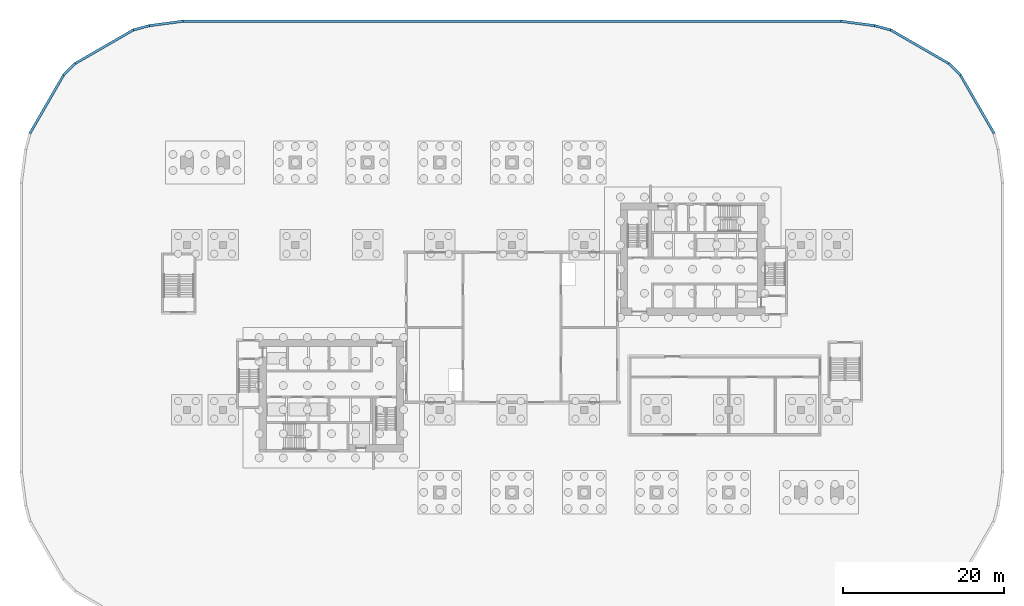
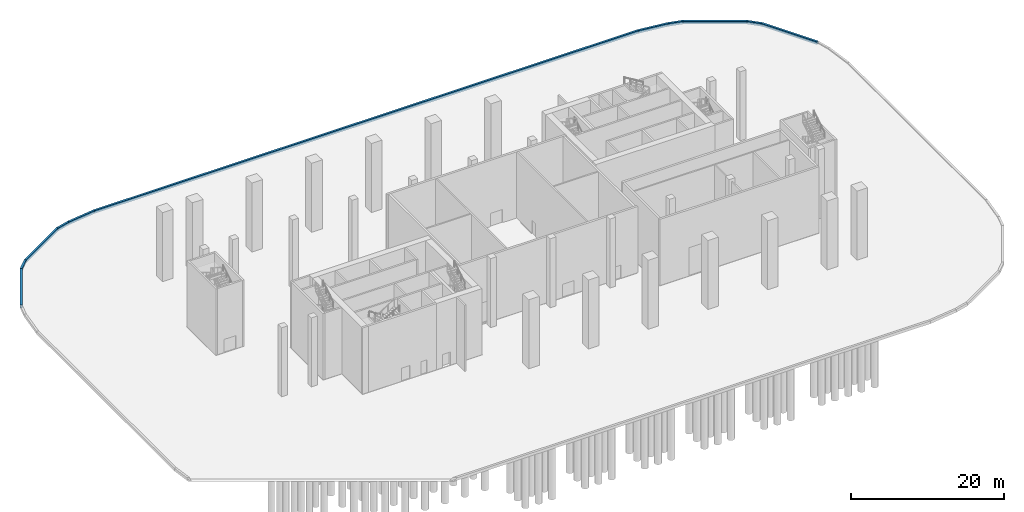
# One storey, part 9 of 26: 11 walls.
"""IFC4 building model written with IfcOpenShell, lengths in metres."""

from ifc_helpers import new_model, si_unit, direction, frame, origin, place, context, subcontext, project, spatial, polyline, outline, extrude, material, layer, layer_set, type_object, element, save


model = new_model("IFC4")

# Units and contexts
model_context = context("Model", 3, precision=1e-05, world=origin(), true_north=direction((0.0, 1.0)))
body_context = subcontext(model_context, "Body", "Model", "MODEL_VIEW")
ifc_project = project(units=[si_unit("LENGTHUNIT", "METRE"), si_unit("AREAUNIT", "SQUARE_METRE"), si_unit("VOLUMEUNIT", "CUBIC_METRE"), si_unit("PLANEANGLEUNIT", "RADIAN"), si_unit("MASSUNIT", "GRAM", prefix="KILO")], contexts=[model_context])

# Site, building, storey
site_placement = place(None, origin())
site = spatial("IfcSite", under=ifc_project, at=site_placement, CompositionType="ELEMENT")
building_placement = place(site_placement, origin())
building = spatial("IfcBuilding", under=site, at=building_placement, Name="Kajstack Hotel Tower", CompositionType="ELEMENT")
storey_placement = place(building_placement, origin())
storey = spatial("IfcBuildingStorey", under=building, at=storey_placement, Name="L00", CompositionType="ELEMENT", Elevation=0.0)

# Walls
ifc_material = material(Name="Concrete C30/37", Category="concrete")
ifc_layer = layer(ifc_material, 0.300048828125)
ifc_layer_set = layer_set([ifc_layer], Name="PLINTH-KERB")
wall_type = type_object("IfcWallType", Name="PLINTH-KERB", PredefinedType="SOLIDWALL", material=ifc_layer_set)
wall_1_placement = place(storey_placement, frame((0.0, 0.0, -0.300048828125)))
element("IfcWall", 1, at=wall_1_placement, inside=storey, type_object=wall_type, Name="Plaza kerb 18", PredefinedType="SOLIDWALL", context=body_context, shape_type="SweptSolid", body=[
    extrude(outline(polyline([(59.924072265625, 24.1220703125), (55.763916015625, 31.32763671875), (56.00390625, 31.511962890625), (60.20361328125, 24.23779296875), (59.924072265625, 24.1220703125)])), origin(), (0.0, 0.0, 1.0), 0.449951171875),
])
wall_2_placement = place(storey_placement, frame((0.0, 0.0, -0.300048828125)))
element("IfcWall", 2, at=wall_2_placement, inside=storey, type_object=wall_type, Name="Plaza kerb 19", PredefinedType="SOLIDWALL", context=body_context, shape_type="SweptSolid", body=[
    extrude(outline(polyline([(55.763916015625, 31.32763671875), (54.32763671875, 32.763916015625), (54.511962890625, 33.00390625), (56.00390625, 31.511962890625), (55.763916015625, 31.32763671875)])), origin(), (0.0, 0.0, 1.0), 0.449951171875),
])
wall_3_placement = place(storey_placement, frame((0.0, 0.0, -0.300048828125)))
element("IfcWall", 3, at=wall_3_placement, inside=storey, type_object=wall_type, Name="Plaza kerb 20", PredefinedType="SOLIDWALL", context=body_context, shape_type="SweptSolid", body=[
    extrude(outline(polyline([(54.32763671875, 32.763916015625), (47.1220703125, 36.924072265625), (47.23779296875, 37.20361328125), (54.511962890625, 33.00390625), (54.32763671875, 32.763916015625)])), origin(), (0.0, 0.0, 1.0), 0.449951171875),
])
wall_4_placement = place(storey_placement, frame((0.0, 0.0, -0.300048828125)))
element("IfcWall", 4, at=wall_4_placement, inside=storey, type_object=wall_type, Name="Plaza kerb 21", PredefinedType="SOLIDWALL", context=body_context, shape_type="SweptSolid", body=[
    extrude(outline(polyline([(47.1220703125, 36.924072265625), (45.150634765625, 37.4521484375), (45.209228515625, 37.7470703125), (47.23779296875, 37.20361328125), (47.1220703125, 36.924072265625)])), origin(), (0.0, 0.0, 1.0), 0.449951171875),
])
wall_5_placement = place(storey_placement, frame((0.0, 0.0, -0.300048828125)))
element("IfcWall", 5, at=wall_5_placement, inside=storey, type_object=wall_type, Name="Plaza kerb 22", PredefinedType="SOLIDWALL", context=body_context, shape_type="SweptSolid", body=[
    extrude(outline(polyline([(45.150634765625, 37.4521484375), (40.990234375, 38.0), (41.009765625, 38.300048828125), (45.209228515625, 37.7470703125), (45.150634765625, 37.4521484375)])), origin(), (0.0, 0.0, 1.0), 0.449951171875),
])
wall_6_placement = place(storey_placement, frame((0.0, 0.0, -0.300048828125)))
element("IfcWall", 6, at=wall_6_placement, inside=storey, type_object=wall_type, Name="Plaza kerb 23", PredefinedType="SOLIDWALL", context=body_context, shape_type="SweptSolid", body=[
    extrude(outline(polyline([(40.990234375, 38.0), (-40.990234375, 38.0), (-41.009765625, 38.300048828125), (41.009765625, 38.300048828125), (40.990234375, 38.0)])), origin(), (0.0, 0.0, 1.0), 0.449951171875),
])
wall_7_placement = place(storey_placement, frame((0.0, 0.0, -0.300048828125)))
element("IfcWall", 7, at=wall_7_placement, inside=storey, type_object=wall_type, Name="Plaza kerb 24", PredefinedType="SOLIDWALL", context=body_context, shape_type="SweptSolid", body=[
    extrude(outline(polyline([(-40.990234375, 38.0), (-45.150634765625, 37.4521484375), (-45.209228515625, 37.7470703125), (-41.009765625, 38.300048828125), (-40.990234375, 38.0)])), origin(), (0.0, 0.0, 1.0), 0.449951171875),
])
wall_8_placement = place(storey_placement, frame((0.0, 0.0, -0.300048828125)))
element("IfcWall", 8, at=wall_8_placement, inside=storey, type_object=wall_type, Name="Plaza kerb 25", PredefinedType="SOLIDWALL", context=body_context, shape_type="SweptSolid", body=[
    extrude(outline(polyline([(-45.150634765625, 37.4521484375), (-47.1220703125, 36.924072265625), (-47.23779296875, 37.20361328125), (-45.209228515625, 37.7470703125), (-45.150634765625, 37.4521484375)])), origin(), (0.0, 0.0, 1.0), 0.449951171875),
])
wall_9_placement = place(storey_placement, frame((0.0, 0.0, -0.300048828125)))
element("IfcWall", 9, at=wall_9_placement, inside=storey, type_object=wall_type, Name="Plaza kerb 26", PredefinedType="SOLIDWALL", context=body_context, shape_type="SweptSolid", body=[
    extrude(outline(polyline([(-47.1220703125, 36.924072265625), (-54.32763671875, 32.763916015625), (-54.511962890625, 33.00390625), (-47.23779296875, 37.20361328125), (-47.1220703125, 36.924072265625)])), origin(), (0.0, 0.0, 1.0), 0.449951171875),
])
wall_10_placement = place(storey_placement, frame((0.0, 0.0, -0.300048828125)))
element("IfcWall", 10, at=wall_10_placement, inside=storey, type_object=wall_type, Name="Plaza kerb 27", PredefinedType="SOLIDWALL", context=body_context, shape_type="SweptSolid", body=[
    extrude(outline(polyline([(-54.32763671875, 32.763916015625), (-55.763916015625, 31.32763671875), (-56.00390625, 31.511962890625), (-54.511962890625, 33.00390625), (-54.32763671875, 32.763916015625)])), origin(), (0.0, 0.0, 1.0), 0.449951171875),
])
wall_11_placement = place(storey_placement, frame((0.0, 0.0, -0.300048828125)))
element("IfcWall", 11, at=wall_11_placement, inside=storey, type_object=wall_type, Name="Plaza kerb 28", PredefinedType="SOLIDWALL", context=body_context, shape_type="SweptSolid", body=[
    extrude(outline(polyline([(-55.763916015625, 31.32763671875), (-59.924072265625, 24.1220703125), (-60.20361328125, 24.23779296875), (-56.00390625, 31.511962890625), (-55.763916015625, 31.32763671875)])), origin(), (0.0, 0.0, 1.0), 0.449951171875),
])

save(model, "model.ifc")
